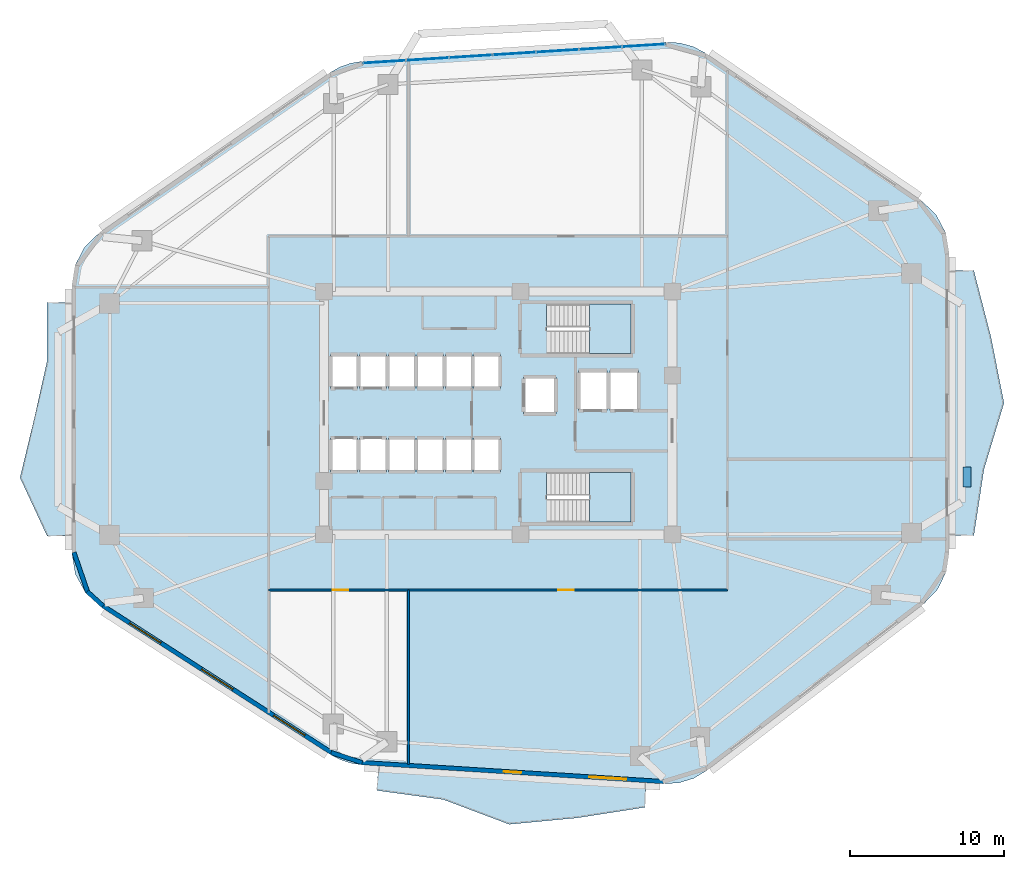
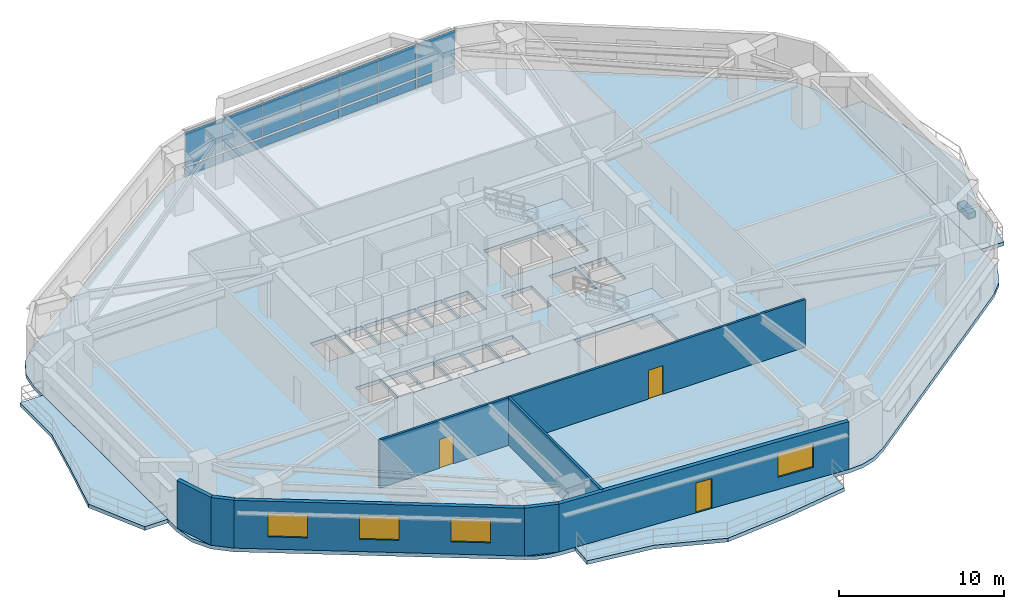
# One storey, part 5 of 11: 15 plates, 7 walls, 6 slabs, 4 windows, 3 doors, 7 openings, 3 elements without a shape of their own.
"""IFC4 building model written with IfcOpenShell, lengths in metres."""

from ifc_helpers import new_model, si_unit, direction, frame, frame_2d, origin, origin_2d, place, context, subcontext, project, spatial, polyline, rectangle, outline, extrude, material, layer, layer_set, type_object, element, fill, aggregate, save


model = new_model("IFC4")

# Units and contexts
model_context = context("Model", 3, precision=1e-05, world=origin(), true_north=direction((0.0, 1.0)))
body_context = subcontext(model_context, "Body", "Model", "MODEL_VIEW")
ifc_project = project(units=[si_unit("LENGTHUNIT", "METRE"), si_unit("AREAUNIT", "SQUARE_METRE"), si_unit("VOLUMEUNIT", "CUBIC_METRE"), si_unit("PLANEANGLEUNIT", "RADIAN"), si_unit("MASSUNIT", "GRAM", prefix="KILO")], contexts=[model_context])

# Site, building, storey
site_placement = place(None, origin())
site = spatial("IfcSite", under=ifc_project, at=site_placement, CompositionType="ELEMENT")
building_placement = place(site_placement, origin())
building = spatial("IfcBuilding", under=site, at=building_placement, Name="Zulverin Broadcast Headquarters", CompositionType="ELEMENT")
storey_placement = place(building_placement, frame((0.0, 0.0, 32.60009765625)))
storey = spatial("IfcBuildingStorey", under=building, at=storey_placement, Name="L07", CompositionType="ELEMENT", Elevation=32.60009765625)

# Curtain wall, plates
ifc_material_1 = material(Name="Low-zone ribbon unitised curtain wall", Category="aluminium")
curtain_wall_type = type_object("IfcCurtainWallType", Name="CW-TWR-LOW", PredefinedType="USERDEFINED", material=ifc_material_1)
curtain_wall_placement = place(storey_placement, origin())
curtain_wall = element("IfcCurtainWall", 1, at=curtain_wall_placement, inside=storey, type_object=curtain_wall_type, Name="L07 Unitised Curtain Wall CW-L07-E5", ObjectType="UNITISED CURTAIN WALL", PredefinedType="USERDEFINED")
ifc_material_2 = material(Name="Low-E double-glazed pale-silver vision glass", Category="glass")
ifc_layer_1 = layer(ifc_material_2, 0.035888671875, Name="Low-E double-glazed pale-silver vision glass", Category="glass")
ifc_layer_set_1 = layer_set([ifc_layer_1], Name="Low-E double-glazed pale-silver vision glass")
plate_type_1 = type_object("IfcPlateType", Name="CW-PNL-GLZ", PredefinedType="CURTAIN_PANEL", material=ifc_layer_set_1)
plate_1_placement = place(storey_placement, frame((46.43115234375, 49.001220703125, 0.910888671875), z_axis=(0.0, 0.0, 1.0), x_axis=(-0.998017621976, -0.062935095345, 0.0)))
plate_1 = element("IfcPlate", 2, at=plate_1_placement, type_object=plate_type_1, Name="CW-L07-E5 Vision Panel 00", PredefinedType="CURTAIN_PANEL", context=body_context, shape_type="SweptSolid", body=[
    extrude(rectangle(XDim=2.76416015625, YDim=0.035888671875, at=origin_2d()), origin(), (0.0, 0.0, 1.0), 2.47412109375),
])
plate_2_placement = place(storey_placement, frame((43.632568359375, 48.82470703125, 0.910888671875), z_axis=(0.0, 0.0, 1.0), x_axis=(-0.998017621976, -0.062935095345, 0.0)))
plate_2 = element("IfcPlate", 3, at=plate_2_placement, type_object=plate_type_1, Name="CW-L07-E5 Vision Panel 01", PredefinedType="CURTAIN_PANEL", context=body_context, shape_type="SweptSolid", body=[
    extrude(rectangle(XDim=2.76416015625, YDim=0.035888671875, at=origin_2d()), origin(), (0.0, 0.0, 1.0), 2.47412109375),
])
plate_3_placement = place(storey_placement, frame((40.833984375, 48.648193359375, 0.910888671875), z_axis=(0.0, 0.0, 1.0), x_axis=(-0.998017621976, -0.062935095345, 0.0)))
plate_3 = element("IfcPlate", 4, at=plate_3_placement, type_object=plate_type_1, Name="CW-L07-E5 Vision Panel 02", PredefinedType="CURTAIN_PANEL", context=body_context, shape_type="SweptSolid", body=[
    extrude(rectangle(XDim=2.76416015625, YDim=0.035888671875, at=origin_2d()), origin(), (0.0, 0.0, 1.0), 2.47412109375),
])
plate_4_placement = place(storey_placement, frame((38.035400390625, 48.4716796875, 0.910888671875), z_axis=(0.0, 0.0, 1.0), x_axis=(-0.998017621976, -0.062935095345, 0.0)))
plate_4 = element("IfcPlate", 5, at=plate_4_placement, type_object=plate_type_1, Name="CW-L07-E5 Vision Panel 03", PredefinedType="CURTAIN_PANEL", context=body_context, shape_type="SweptSolid", body=[
    extrude(rectangle(XDim=2.76416015625, YDim=0.035888671875, at=origin_2d()), origin(), (0.0, 0.0, 1.0), 2.47412109375),
])
plate_5_placement = place(storey_placement, frame((35.236572265625, 48.295166015625, 0.910888671875), z_axis=(0.0, 0.0, 1.0), x_axis=(-0.998017621976, -0.062935095345, 0.0)))
plate_5 = element("IfcPlate", 6, at=plate_5_placement, type_object=plate_type_1, Name="CW-L07-E5 Vision Panel 04", PredefinedType="CURTAIN_PANEL", context=body_context, shape_type="SweptSolid", body=[
    extrude(rectangle(XDim=2.76416015625, YDim=0.035888671875, at=origin_2d()), origin(), (0.0, 0.0, 1.0), 2.47412109375),
])
plate_6_placement = place(storey_placement, frame((32.43798828125, 48.11865234375, 0.910888671875), z_axis=(0.0, 0.0, 1.0), x_axis=(-0.998017621976, -0.062935095345, 0.0)))
plate_6 = element("IfcPlate", 7, at=plate_6_placement, type_object=plate_type_1, Name="CW-L07-E5 Vision Panel 05", PredefinedType="CURTAIN_PANEL", context=body_context, shape_type="SweptSolid", body=[
    extrude(rectangle(XDim=2.76416015625, YDim=0.035888671875, at=origin_2d()), origin(), (0.0, 0.0, 1.0), 2.47412109375),
])
plate_7_placement = place(storey_placement, frame((29.639404296875, 47.942138671875, 0.910888671875), z_axis=(0.0, 0.0, 1.0), x_axis=(-0.998017621976, -0.062935095345, 0.0)))
plate_7 = element("IfcPlate", 8, at=plate_7_placement, type_object=plate_type_1, Name="CW-L07-E5 Vision Panel 06", PredefinedType="CURTAIN_PANEL", context=body_context, shape_type="SweptSolid", body=[
    extrude(rectangle(XDim=2.76416015625, YDim=0.035888671875, at=origin_2d()), origin(), (0.0, 0.0, 1.0), 2.47412109375),
])
ifc_material_3 = material(Name="Insulated brushed pale-aluminium spandrel cassette", Category="aluminium")
ifc_layer_2 = layer(ifc_material_3, 0.050048828125, Name="Insulated brushed pale-aluminium spandrel cassette", Category="aluminium")
ifc_layer_set_2 = layer_set([ifc_layer_2], Name="Insulated brushed pale-aluminium spandrel cassette")
plate_type_2 = type_object("IfcPlateType", Name="CW-PNL-SPN", PredefinedType="CURTAIN_PANEL", material=ifc_layer_set_2)
plate_8_placement = place(storey_placement, frame((46.43115234375, 49.001220703125, 0.139892578125), z_axis=(0.0, 0.0, 1.0), x_axis=(-0.998017621976, -0.062935095345, 0.0)))
plate_8 = element("IfcPlate", 9, at=plate_8_placement, type_object=plate_type_2, Name="CW-L07-E5 Spandrel Cassette 00", PredefinedType="CURTAIN_PANEL", context=body_context, shape_type="SweptSolid", body=[
    extrude(rectangle(XDim=2.76416015625, YDim=0.050048828125, at=origin_2d()), origin(), (0.0, 0.0, 1.0), 0.64111328125),
])
plate_9_placement = place(storey_placement, frame((43.632568359375, 48.82470703125, 0.139892578125), z_axis=(0.0, 0.0, 1.0), x_axis=(-0.998017621976, -0.062935095345, 0.0)))
plate_9 = element("IfcPlate", 10, at=plate_9_placement, type_object=plate_type_2, Name="CW-L07-E5 Spandrel Cassette 01", PredefinedType="CURTAIN_PANEL", context=body_context, shape_type="SweptSolid", body=[
    extrude(rectangle(XDim=2.76416015625, YDim=0.050048828125, at=origin_2d()), origin(), (0.0, 0.0, 1.0), 0.64111328125),
])
plate_10_placement = place(storey_placement, frame((40.833984375, 48.648193359375, 0.139892578125), z_axis=(0.0, 0.0, 1.0), x_axis=(-0.998017621976, -0.062935095345, 0.0)))
plate_10 = element("IfcPlate", 11, at=plate_10_placement, type_object=plate_type_2, Name="CW-L07-E5 Spandrel Cassette 02", PredefinedType="CURTAIN_PANEL", context=body_context, shape_type="SweptSolid", body=[
    extrude(rectangle(XDim=2.76416015625, YDim=0.050048828125, at=origin_2d()), origin(), (0.0, 0.0, 1.0), 0.64111328125),
])
plate_11_placement = place(storey_placement, frame((38.035400390625, 48.4716796875, 0.139892578125), z_axis=(0.0, 0.0, 1.0), x_axis=(-0.998017621976, -0.062935095345, 0.0)))
plate_11 = element("IfcPlate", 12, at=plate_11_placement, type_object=plate_type_2, Name="CW-L07-E5 Spandrel Cassette 03", PredefinedType="CURTAIN_PANEL", context=body_context, shape_type="SweptSolid", body=[
    extrude(rectangle(XDim=2.76416015625, YDim=0.050048828125, at=origin_2d()), origin(), (0.0, 0.0, 1.0), 0.64111328125),
])
plate_12_placement = place(storey_placement, frame((35.236572265625, 48.295166015625, 0.139892578125), z_axis=(0.0, 0.0, 1.0), x_axis=(-0.998017621976, -0.062935095345, 0.0)))
plate_12 = element("IfcPlate", 13, at=plate_12_placement, type_object=plate_type_2, Name="CW-L07-E5 Spandrel Cassette 04", PredefinedType="CURTAIN_PANEL", context=body_context, shape_type="SweptSolid", body=[
    extrude(rectangle(XDim=2.76416015625, YDim=0.050048828125, at=origin_2d()), origin(), (0.0, 0.0, 1.0), 0.64111328125),
])
plate_13_placement = place(storey_placement, frame((32.43798828125, 48.11865234375, 0.139892578125), z_axis=(0.0, 0.0, 1.0), x_axis=(-0.998017621976, -0.062935095345, 0.0)))
plate_13 = element("IfcPlate", 14, at=plate_13_placement, type_object=plate_type_2, Name="CW-L07-E5 Spandrel Cassette 05", PredefinedType="CURTAIN_PANEL", context=body_context, shape_type="SweptSolid", body=[
    extrude(rectangle(XDim=2.76416015625, YDim=0.050048828125, at=origin_2d()), origin(), (0.0, 0.0, 1.0), 0.64111328125),
])
plate_14_placement = place(storey_placement, frame((29.639404296875, 47.942138671875, 0.139892578125), z_axis=(0.0, 0.0, 1.0), x_axis=(-0.998017621976, -0.062935095345, 0.0)))
plate_14 = element("IfcPlate", 15, at=plate_14_placement, type_object=plate_type_2, Name="CW-L07-E5 Spandrel Cassette 06", PredefinedType="CURTAIN_PANEL", context=body_context, shape_type="SweptSolid", body=[
    extrude(rectangle(XDim=2.76416015625, YDim=0.050048828125, at=origin_2d()), origin(), (0.0, 0.0, 1.0), 0.64111328125),
])
aggregate(curtain_wall, [plate_8, plate_1, plate_9, plate_2, plate_10, plate_3, plate_11, plate_4, plate_12, plate_5, plate_13, plate_6, plate_14, plate_7])

# Plate
ifc_material_4 = material(Name="Precast concrete C45/55", Category="concrete")
ifc_layer_3 = layer(ifc_material_4, 0.449951171875, Name="Precast concrete C45/55", Category="concrete")
ifc_layer_set_3 = layer_set([ifc_layer_3], Name="Precast concrete C45/55")
plate_type_3 = type_object("IfcPlateType", Name="PT-01_PRECAST_GFRC_TREE_PLANTER", PredefinedType="USERDEFINED", material=ifc_layer_set_3)
plate_15_placement = place(storey_placement, frame((67.35009765625, 21.05224609375, -0.0048828125), z_axis=(0.0, 0.0, 1.0), x_axis=(0.0, 1.0, 0.0)))
element("IfcPlate", 16, at=plate_15_placement, inside=storey, type_object=plate_type_3, Name="L07 Precast GFRC Tree Planter BAL_E", ObjectType="PLANTER", PredefinedType="USERDEFINED", context=body_context, shape_type="SweptSolid", body=[
    extrude(rectangle(XDim=1.300048828125, YDim=0.5, at=origin_2d()), origin(), (0.0, 0.0, 1.0), 0.449951171875),
])

# Slabs
ifc_material_5 = material(Name="Concrete C40/50", Category="concrete")
ifc_layer_4 = layer(ifc_material_5, 0.27490234375, Name="Concrete C40/50", Category="concrete")
ifc_layer_set_4 = layer_set([ifc_layer_4], Name="Concrete C40/50")
slab_type_1 = type_object("IfcSlabType", Name="SLB-BAL-275", PredefinedType="FLOOR", material=ifc_layer_set_4)
slab_1_placement = place(storey_placement, frame((0.0, 0.0, -0.275146484375)))
element("IfcSlab", 17, at=slab_1_placement, inside=storey, type_object=slab_type_1, Name="L07 Cantilevered Planted Balcony Slab BAL_E", PredefinedType="FLOOR", context=body_context, shape_type="SweptSolid", body=[
    extrude(outline(polyline([(66.199951171875, 34.41455078125), (66.199951171875, 17.283447265625), (67.800048828125, 17.283447265625), (68.456298828125, 21.566162109375), (69.75, 25.848876953125), (68.90576171875, 30.131591796875), (67.800048828125, 34.41455078125), (66.199951171875, 34.41455078125)])), origin(), (0.0, 0.0, 1.0), 0.275146484375),
])
slab_2_placement = place(storey_placement, frame((0.0, 0.0, -0.275146484375)))
element("IfcSlab", 18, at=slab_2_placement, inside=storey, type_object=slab_type_1, Name="L07 Cantilevered Planted Balcony Slab BAL_S", PredefinedType="FLOOR", context=body_context, shape_type="SweptSolid", body=[
    extrude(outline(polyline([(46.5927734375, 1.268310546875), (29.250244140625, 2.3623046875), (29.149658203125, 0.765380859375), (33.465087890625, 0.175048828125), (37.717041015625, -1.42822265625), (42.095947265625, -1.012939453125), (46.4921875, -0.328369140625), (46.5927734375, 1.268310546875)])), origin(), (0.0, 0.0, 1.0), 0.275146484375),
])
slab_3_placement = place(storey_placement, frame((0.0, 0.0, -0.275146484375)))
element("IfcSlab", 19, at=slab_3_placement, inside=storey, type_object=slab_type_1, Name="L07 Cantilevered Planted Balcony Slab BAL_W", PredefinedType="FLOOR", context=body_context, shape_type="SweptSolid", body=[
    extrude(outline(polyline([(9.39990234375, 17.24365234375), (9.39990234375, 32.344482421875), (7.800048828125, 32.344482421875), (7.800048828125, 28.569091796875), (6.956787109375, 24.7939453125), (6.0458984375, 21.018798828125), (7.800048828125, 17.24365234375), (9.39990234375, 17.24365234375)])), origin(), (0.0, 0.0, 1.0), 0.275146484375),
])

# Stair, slab
stair_type = type_object("IfcStairType", Name="ST-CORE-1500", PredefinedType="HALF_TURN_STAIR", material=ifc_material_5)
stair_1_placement = place(storey_placement, origin())
stair_1 = element("IfcStair", 20, at=stair_1_placement, inside=storey, type_object=stair_type, Name="L07 Core Exit Stair ST-1", PredefinedType="HALF_TURN_STAIR")
ifc_layer_5 = layer(ifc_material_5, 0.199951171875, Name="Concrete C40/50", Category="concrete")
ifc_layer_set_5 = layer_set([ifc_layer_5], Name="Concrete C40/50")
slab_type_2 = type_object("IfcSlabType", Name="SLB-ST-LND200", PredefinedType="LANDING", material=ifc_layer_set_5)
slab_4_placement = place(storey_placement, frame((0.0, 0.0, 1.699951171875)))
slab_4 = element("IfcSlab", 21, at=slab_4_placement, type_object=slab_type_2, Name="ST-1 landing 1", PredefinedType="LANDING", context=body_context, shape_type="SweptSolid", body=[
    extrude(outline(polyline([(42.929931640625, 29.050048828125), (45.60009765625, 29.050048828125), (45.60009765625, 32.25), (42.929931640625, 32.25), (42.929931640625, 29.050048828125)])), origin(), (0.0, 0.0, 1.0), 0.199951171875),
])
aggregate(stair_1, [slab_4])

stair_2_placement = place(storey_placement, origin())
stair_2 = element("IfcStair", 22, at=stair_2_placement, inside=storey, type_object=stair_type, Name="L07 Core Exit Stair ST-2", PredefinedType="HALF_TURN_STAIR")
slab_5_placement = place(storey_placement, frame((0.0, 0.0, 1.699951171875)))
slab_5 = element("IfcSlab", 23, at=slab_5_placement, type_object=slab_type_2, Name="ST-2 landing 1", PredefinedType="LANDING", context=body_context, shape_type="SweptSolid", body=[
    extrude(outline(polyline([(42.929931640625, 18.14990234375), (45.60009765625, 18.14990234375), (45.60009765625, 21.35009765625), (42.929931640625, 21.35009765625), (42.929931640625, 18.14990234375)])), origin(), (0.0, 0.0, 1.0), 0.199951171875),
])
aggregate(stair_2, [slab_5])

# Slab
ifc_layer_6 = layer(ifc_material_5, 0.27490234375, Name="Concrete C40/50", Category="concrete")
ifc_layer_set_6 = layer_set([ifc_layer_6], Name="Concrete C40/50")
slab_type_3 = type_object("IfcSlabType", Name="SLB-TWR-275", PredefinedType="FLOOR", material=ifc_layer_set_6)
slab_6_placement = place(storey_placement, frame((0.0, 0.0, -0.275146484375)))
element("IfcSlab", 24, at=slab_6_placement, inside=storey, type_object=slab_type_3, Name="L07 Main Structural Floor Slab", PredefinedType="FLOOR", context=body_context, shape_type="SweptSolid", body=[
    extrude(outline(polyline([(26.146484375, 3.089599609375), (26.774658203125, 2.75732421875), (27.44970703125, 2.535888671875), (28.152587890625, 2.431396484375), (47.690673828125, 1.19921875), (48.69189453125, 1.256103515625), (49.6513671875, 1.548828125), (50.51416015625, 2.060546875), (64.55908203125, 12.85302734375), (65.44140625, 13.77587890625), (66.005859375, 14.92138671875), (66.199951171875, 16.183349609375), (66.199951171875, 35.514404296875), (65.981689453125, 36.85107421875), (65.349365234375, 38.048583984375), (64.368896484375, 38.982666015625), (50.456298828125, 48.485595703125), (49.639404296875, 48.920166015625), (48.747314453125, 49.165283203125), (47.822998046875, 49.208984375), (28.232421875, 47.9736328125), (27.481201171875, 47.857421875), (26.76318359375, 47.607666015625), (26.102294921875, 47.232666015625), (11.20556640625, 36.89501953125), (10.238037109375, 35.9619140625), (9.614990234375, 34.77099609375), (9.39990234375, 33.4443359375), (9.39990234375, 16.1435546875), (9.631103515625, 14.769775390625), (10.298583984375, 13.547119140625), (11.32958984375, 12.610107421875), (26.146484375, 3.089599609375)]), holes=[polyline([(40.155029296875, 30.75), (40.130126953125, 30.75), (40.130126953125, 32.25), (45.60009765625, 32.25), (45.60009765625, 29.050048828125), (40.155029296875, 29.050048828125), (40.155029296875, 30.75)]), polyline([(40.155029296875, 19.85009765625), (40.130126953125, 19.85009765625), (40.130126953125, 21.35009765625), (45.60009765625, 21.35009765625), (45.60009765625, 18.14990234375), (40.155029296875, 18.14990234375), (40.155029296875, 19.85009765625)]), polyline([(26.14990234375, 26.800048828125), (27.89990234375, 26.800048828125), (27.89990234375, 29.0), (26.14990234375, 29.0), (26.14990234375, 26.800048828125)]), polyline([(28.02001953125, 26.800048828125), (29.77001953125, 26.800048828125), (29.77001953125, 29.0), (28.02001953125, 29.0), (28.02001953125, 26.800048828125)]), polyline([(26.14990234375, 21.39990234375), (27.89990234375, 21.39990234375), (27.89990234375, 23.60009765625), (26.14990234375, 23.60009765625), (26.14990234375, 21.39990234375)]), polyline([(28.02001953125, 21.39990234375), (29.77001953125, 21.39990234375), (29.77001953125, 23.60009765625), (28.02001953125, 23.60009765625), (28.02001953125, 21.39990234375)]), polyline([(29.89990234375, 21.39990234375), (31.6201171875, 21.39990234375), (31.6201171875, 23.60009765625), (29.89990234375, 23.60009765625), (29.89990234375, 21.39990234375)]), polyline([(31.739990234375, 21.39990234375), (33.4599609375, 21.39990234375), (33.4599609375, 23.60009765625), (31.739990234375, 23.60009765625), (31.739990234375, 21.39990234375)]), polyline([(33.580078125, 21.39990234375), (35.300048828125, 21.39990234375), (35.300048828125, 23.60009765625), (33.580078125, 23.60009765625), (33.580078125, 21.39990234375)]), polyline([(35.419921875, 21.39990234375), (37.139892578125, 21.39990234375), (37.139892578125, 23.60009765625), (35.419921875, 23.60009765625), (35.419921875, 21.39990234375)]), polyline([(29.89990234375, 26.800048828125), (31.6201171875, 26.800048828125), (31.6201171875, 29.0), (29.89990234375, 29.0), (29.89990234375, 26.800048828125)]), polyline([(31.739990234375, 26.800048828125), (33.4599609375, 26.800048828125), (33.4599609375, 29.0), (31.739990234375, 29.0), (31.739990234375, 26.800048828125)]), polyline([(33.580078125, 26.800048828125), (35.300048828125, 26.800048828125), (35.300048828125, 29.0), (33.580078125, 29.0), (33.580078125, 26.800048828125)]), polyline([(35.419921875, 26.800048828125), (37.139892578125, 26.800048828125), (37.139892578125, 29.0), (35.419921875, 29.0), (35.419921875, 26.800048828125)]), polyline([(42.199951171875, 25.35009765625), (44.050048828125, 25.35009765625), (44.050048828125, 27.949951171875), (42.199951171875, 27.949951171875), (42.199951171875, 25.35009765625)]), polyline([(44.25, 25.35009765625), (46.10009765625, 25.35009765625), (46.10009765625, 27.949951171875), (44.25, 27.949951171875), (44.25, 25.35009765625)]), polyline([(38.64990234375, 25.14990234375), (40.75, 25.14990234375), (40.75, 27.550048828125), (38.64990234375, 27.550048828125), (38.64990234375, 25.14990234375)])]), origin(), (0.0, 0.0, 1.0), 0.275146484375),
])

# Wall, openings, door, window
ifc_material_6 = material(Name="Insulated pale-metal clad concrete spandrel C40/50", Category="concrete")
ifc_layer_7 = layer(ifc_material_6, 0.280029296875, Name="Insulated pale-metal clad concrete spandrel C40/50", Category="concrete")
ifc_layer_set_7 = layer_set([ifc_layer_7], Name="Insulated pale-metal clad concrete spandrel C40/50")
wall_type_1 = type_object("IfcWallType", Name="WL-EXT-280", PredefinedType="STANDARD", material=ifc_layer_set_7)
wall_1_placement = place(storey_placement, frame((28.161376953125, 2.571044921875, 0.0), z_axis=(0.0, 0.0, 1.0), x_axis=(0.998017288298, -0.06294038654, 0.0)))
wall_1 = element("IfcWall", 25, at=wall_1_placement, inside=storey, type_object=wall_type_1, Name="L07 Pale-Metal Clad Spandrel Wall 1", PredefinedType="STANDARD", context=body_context, shape_type="SweptSolid", body=[
    extrude(rectangle(XDim=19.576904296875, YDim=0.280029296875, at=frame_2d((9.78857421875, 0.0))), origin(), (0.0, 0.0, 1.0), 3.52490234375),
])
opening_1_placement = place(wall_1_placement, frame((9.238525390625, 0.0, 0.0)))
opening_1 = element("IfcOpeningElement", 26, at=opening_1_placement, cuts=wall_1, Name="Opening D-L07-TR1", PredefinedType="OPENING", context=body_context, shape_type="SweptSolid", body=[
    extrude(rectangle(XDim=1.10009765625, YDim=2.199951171875, at=frame_2d((0.550048828125, 1.10009765625))), frame((0.0, 0.14990234375, 0.0), z_axis=(0.0, -1.0, 0.0), x_axis=(1.0, 0.0, 0.0)), (0.0, 0.0, 1.0), 0.300048828125),
])
opening_2_placement = place(wall_1_placement, frame((14.78076171875, 0.0, 0.89990234375)))
opening_2 = element("IfcOpeningElement", 27, at=opening_2_placement, cuts=wall_1, Name="Opening W-L07-E11", PredefinedType="OPENING", context=body_context, shape_type="SweptSolid", body=[
    extrude(rectangle(XDim=2.39990234375, YDim=1.75, at=frame_2d((1.199951171875, 0.875))), frame((0.0, 0.14990234375, 0.0), z_axis=(0.0, -1.0, 0.0), x_axis=(1.0, 0.0, 0.0)), (0.0, 0.0, 1.0), 0.300048828125),
])
ifc_material_7 = material(Name="Thermally broken aluminium glazed", Category="aluminium")
door_type_1 = type_object("IfcDoorType", Name="DR-TERR-1100", OperationType="SINGLE_SWING_RIGHT", PredefinedType="DOOR", material=ifc_material_7)
door_1_placement = place(opening_1_placement, origin())
door_1 = element("IfcDoor", 28, at=door_1_placement, inside=storey, type_object=door_type_1, Name="L07 Planted Terrace Glazed Access Door 1", OperationType="SINGLE_SWING_RIGHT", OverallHeight=2.199951171875, OverallWidth=1.10009765625, PredefinedType="DOOR", context=body_context, shape_type="SweptSolid", body=[
    extrude(rectangle(XDim=1.10009765625, YDim=2.199951171875, at=frame_2d((0.550048828125, 1.10009765625))), frame((0.0, 0.02490234375, 0.0), z_axis=(0.0, -1.0, 0.0), x_axis=(1.0, 0.0, 0.0)), (0.0, 0.0, 1.0), 0.050048828125),
])
fill(opening_1, door_1)
ifc_material_8 = material(Name="Pale anodized aluminium frame with solar-control low-E double glazing", Category="aluminium")
window_type = type_object("IfcWindowType", Name="WIN-RIB-2400", PartitioningType="SINGLE_PANEL", PredefinedType="WINDOW", material=ifc_material_8)
window_1_placement = place(opening_2_placement, origin())
window_1 = element("IfcWindow", 29, at=window_1_placement, inside=storey, type_object=window_type, Name="L07 Ribbon Glazing Window 1 1", OverallHeight=1.75, OverallWidth=2.39990234375, PartitioningType="SINGLE_PANEL", PredefinedType="WINDOW", context=body_context, shape_type="SweptSolid", body=[
    extrude(rectangle(XDim=2.39990234375, YDim=1.75, at=frame_2d((1.199951171875, 0.875))), frame((0.0, 0.030029296875, 0.0), z_axis=(0.0, -1.0, 0.0), x_axis=(1.0, 0.0, 0.0)), (0.0, 0.0, 1.0), 0.06005859375),
])
fill(opening_2, window_1)

# Wall, openings, windows
wall_2_placement = place(storey_placement, frame((11.4052734375, 12.727783203125, 0.0), z_axis=(0.0, 0.0, 1.0), x_axis=(0.841304564637, -0.540561402175, 0.0)))
wall_2 = element("IfcWall", 30, at=wall_2_placement, inside=storey, type_object=wall_type_1, Name="L07 Pale-Metal Clad Spandrel Wall 8", PredefinedType="STANDARD", context=body_context, shape_type="SweptSolid", body=[
    extrude(rectangle(XDim=17.61181640625, YDim=0.280029296875, at=frame_2d((8.805908203125, 0.0))), origin(), (0.0, 0.0, 1.0), 3.52490234375),
])
opening_3_placement = place(wall_2_placement, frame((2.068603515625, 0.0, 0.89990234375)))
opening_3 = element("IfcOpeningElement", 31, at=opening_3_placement, cuts=wall_2, Name="Opening W-L07-E81", PredefinedType="OPENING", context=body_context, shape_type="SweptSolid", body=[
    extrude(rectangle(XDim=2.39990234375, YDim=1.75, at=frame_2d((1.199951171875, 0.875))), frame((0.0, 0.14990234375, 0.0), z_axis=(0.0, -1.0, 0.0), x_axis=(1.0, 0.0, 0.0)), (0.0, 0.0, 1.0), 0.300048828125),
])
opening_4_placement = place(wall_2_placement, frame((7.60595703125, 0.0, 0.89990234375)))
opening_4 = element("IfcOpeningElement", 32, at=opening_4_placement, cuts=wall_2, Name="Opening W-L07-E82", PredefinedType="OPENING", context=body_context, shape_type="SweptSolid", body=[
    extrude(rectangle(XDim=2.39990234375, YDim=1.75, at=frame_2d((1.199951171875, 0.875))), frame((0.0, 0.14990234375, 0.0), z_axis=(0.0, -1.0, 0.0), x_axis=(1.0, 0.0, 0.0)), (0.0, 0.0, 1.0), 0.300048828125),
])
opening_5_placement = place(wall_2_placement, frame((13.143310546875, 0.0, 0.89990234375)))
opening_5 = element("IfcOpeningElement", 33, at=opening_5_placement, cuts=wall_2, Name="Opening W-L07-E83", PredefinedType="OPENING", context=body_context, shape_type="SweptSolid", body=[
    extrude(rectangle(XDim=2.39990234375, YDim=1.75, at=frame_2d((1.199951171875, 0.875))), frame((0.0, 0.14990234375, 0.0), z_axis=(0.0, -1.0, 0.0), x_axis=(1.0, 0.0, 0.0)), (0.0, 0.0, 1.0), 0.300048828125),
])
window_2_placement = place(opening_3_placement, origin())
window_2 = element("IfcWindow", 34, at=window_2_placement, inside=storey, type_object=window_type, Name="L07 Ribbon Glazing Window 8 1", OverallHeight=1.75, OverallWidth=2.39990234375, PartitioningType="SINGLE_PANEL", PredefinedType="WINDOW", context=body_context, shape_type="SweptSolid", body=[
    extrude(rectangle(XDim=2.39990234375, YDim=1.75, at=frame_2d((1.199951171875, 0.875))), frame((0.0, 0.030029296875, 0.0), z_axis=(0.0, -1.0, 0.0), x_axis=(1.0, 0.0, 0.0)), (0.0, 0.0, 1.0), 0.06005859375),
])
fill(opening_3, window_2)
window_3_placement = place(opening_4_placement, origin())
window_3 = element("IfcWindow", 35, at=window_3_placement, inside=storey, type_object=window_type, Name="L07 Ribbon Glazing Window 8 2", OverallHeight=1.75, OverallWidth=2.39990234375, PartitioningType="SINGLE_PANEL", PredefinedType="WINDOW", context=body_context, shape_type="SweptSolid", body=[
    extrude(rectangle(XDim=2.39990234375, YDim=1.75, at=frame_2d((1.199951171875, 0.875))), frame((0.0, 0.030029296875, 0.0), z_axis=(0.0, -1.0, 0.0), x_axis=(1.0, 0.0, 0.0)), (0.0, 0.0, 1.0), 0.06005859375),
])
fill(opening_4, window_3)
window_4_placement = place(opening_5_placement, origin())
window_4 = element("IfcWindow", 36, at=window_4_placement, inside=storey, type_object=window_type, Name="L07 Ribbon Glazing Window 8 3", OverallHeight=1.75, OverallWidth=2.39990234375, PartitioningType="SINGLE_PANEL", PredefinedType="WINDOW", context=body_context, shape_type="SweptSolid", body=[
    extrude(rectangle(XDim=2.39990234375, YDim=1.75, at=frame_2d((1.199951171875, 0.875))), frame((0.0, 0.030029296875, 0.0), z_axis=(0.0, -1.0, 0.0), x_axis=(1.0, 0.0, 0.0)), (0.0, 0.0, 1.0), 0.06005859375),
])
fill(opening_5, window_4)

# Walls
wall_3_placement = place(storey_placement, frame((9.5322265625, 16.189453125, 0.0), z_axis=(0.0, 0.0, 1.0), x_axis=(0.32708309668, -0.944995580871, 0.0)))
element("IfcWall", 37, at=wall_3_placement, inside=storey, type_object=wall_type_1, Name="L07 Wind-Shaped Corner Spandrel Wall 7-1", PredefinedType="STANDARD", context=body_context, shape_type="SweptSolid", body=[
    extrude(rectangle(XDim=2.74755859375, YDim=0.280029296875, at=frame_2d((1.373779296875, 0.0))), origin(), (0.0, 0.0, 1.0), 3.52490234375),
])
wall_4_placement = place(storey_placement, frame((10.392822265625, 13.650634765625, 0.0), z_axis=(0.0, 0.0, 1.0), x_axis=(0.74003521851, -0.672568119498, 0.0)))
element("IfcWall", 38, at=wall_4_placement, inside=storey, type_object=wall_type_1, Name="L07 Wind-Shaped Corner Spandrel Wall 7-2", PredefinedType="STANDARD", context=body_context, shape_type="SweptSolid", body=[
    extrude(rectangle(XDim=1.39306640625, YDim=0.280029296875, at=frame_2d((0.696533203125, 0.0))), origin(), (0.0, 0.0, 1.0), 3.52490234375),
])
wall_5_placement = place(storey_placement, frame((26.18994140625, 3.22265625, 0.0), z_axis=(0.0, 0.0, 1.0), x_axis=(0.95016442175, -0.311749212734, 0.0)))
element("IfcWall", 39, at=wall_5_placement, inside=storey, type_object=wall_type_1, Name="L07 Wind-Shaped Corner Spandrel Wall 8-1", PredefinedType="STANDARD", context=body_context, shape_type="SweptSolid", body=[
    extrude(rectangle(XDim=2.111328125, YDim=0.280029296875, at=frame_2d((1.0556640625, 0.0))), origin(), (0.0, 0.0, 1.0), 3.52490234375),
])
ifc_material_9 = material(Name="Fire-rated gypsum stud partition", Category="gypsum")
ifc_layer_8 = layer(ifc_material_9, 0.14990234375, Name="Fire-rated gypsum stud partition", Category="gypsum")
ifc_layer_set_8 = layer_set([ifc_layer_8], Name="Fire-rated gypsum stud partition")
wall_type_2 = type_object("IfcWallType", Name="WL-PART-150", PredefinedType="PARTITIONING", material=ifc_layer_set_8)
wall_6_placement = place(storey_placement, frame((31.199951171875, 2.444091796875, 0.0), z_axis=(0.0, 0.0, 1.0), x_axis=(0.0, 1.0, 0.0)))
element("IfcWall", 40, at=wall_6_placement, inside=storey, type_object=wall_type_2, Name="L07 Room Partition Wall RP-02", PredefinedType="PARTITIONING", context=body_context, shape_type="SweptSolid", body=[
    extrude(rectangle(XDim=11.305908203125, YDim=0.14990234375, at=frame_2d((5.65283203125, 0.0))), origin(), (0.0, 0.0, 1.0), 3.52490234375),
])

# Wall, openings, doors
wall_7_placement = place(storey_placement, frame((22.14990234375, 13.75, 0.0), z_axis=(0.0, 0.0, 1.0), x_axis=(1.0, 0.0, 0.0)))
wall_7 = element("IfcWall", 41, at=wall_7_placement, inside=storey, type_object=wall_type_2, Name="L07 Gallery Partition Wall CG-05", PredefinedType="PARTITIONING", context=body_context, shape_type="SweptSolid", body=[
    extrude(rectangle(XDim=29.7001953125, YDim=0.14990234375, at=frame_2d((14.85009765625, 0.0))), origin(), (0.0, 0.0, 1.0), 3.52490234375),
])
opening_6_placement = place(wall_7_placement, frame((4.14501953125, 0.0, 0.0)))
opening_6 = element("IfcOpeningElement", 42, at=opening_6_placement, cuts=wall_7, Name="Opening D-L07-03", PredefinedType="OPENING", context=body_context, shape_type="SweptSolid", body=[
    extrude(rectangle(XDim=1.0, YDim=2.1201171875, at=frame_2d((0.5, 1.06005859375))), frame((0.0, 0.0849609375, 0.0), z_axis=(0.0, -1.0, 0.0), x_axis=(1.0, 0.0, 0.0)), (0.0, 0.0, 1.0), 0.169921875),
])
opening_7_placement = place(wall_7_placement, frame((18.7548828125, 0.0, 0.0)))
opening_7 = element("IfcOpeningElement", 43, at=opening_7_placement, cuts=wall_7, Name="Opening D-L07-04", PredefinedType="OPENING", context=body_context, shape_type="SweptSolid", body=[
    extrude(rectangle(XDim=1.0, YDim=2.1201171875, at=frame_2d((0.5, 1.06005859375))), frame((0.0, 0.0849609375, 0.0), z_axis=(0.0, -1.0, 0.0), x_axis=(1.0, 0.0, 0.0)), (0.0, 0.0, 1.0), 0.169921875),
])
ifc_material_10 = material(Name="Hardwood veneer acoustic leaf", Category="wood")
door_type_2 = type_object("IfcDoorType", Name="DR-OFF-1000", OperationType="SINGLE_SWING_LEFT", PredefinedType="DOOR", material=ifc_material_10)
door_2_placement = place(opening_6_placement, origin())
door_2 = element("IfcDoor", 44, at=door_2_placement, inside=storey, type_object=door_type_2, Name="L07 Investigative Desk Office Door", OperationType="SINGLE_SWING_RIGHT", OverallHeight=2.1201171875, OverallWidth=1.0, PredefinedType="DOOR", context=body_context, shape_type="SweptSolid", body=[
    extrude(rectangle(XDim=1.0, YDim=2.1201171875, at=frame_2d((0.5, 1.06005859375))), frame((0.0, 0.02490234375, 0.0), z_axis=(0.0, -1.0, 0.0), x_axis=(1.0, 0.0, 0.0)), (0.0, 0.0, 1.0), 0.050048828125),
])
fill(opening_6, door_2)
door_3_placement = place(opening_7_placement, origin())
door_3 = element("IfcDoor", 45, at=door_3_placement, inside=storey, type_object=door_type_2, Name="L07 Assignment Office Door", OperationType="SINGLE_SWING_LEFT", OverallHeight=2.1201171875, OverallWidth=1.0, PredefinedType="DOOR", context=body_context, shape_type="SweptSolid", body=[
    extrude(rectangle(XDim=1.0, YDim=2.1201171875, at=frame_2d((0.5, 1.06005859375))), frame((0.0, 0.02490234375, 0.0), z_axis=(0.0, -1.0, 0.0), x_axis=(1.0, 0.0, 0.0)), (0.0, 0.0, 1.0), 0.050048828125),
])
fill(opening_7, door_3)

save(model, "model.ifc")
